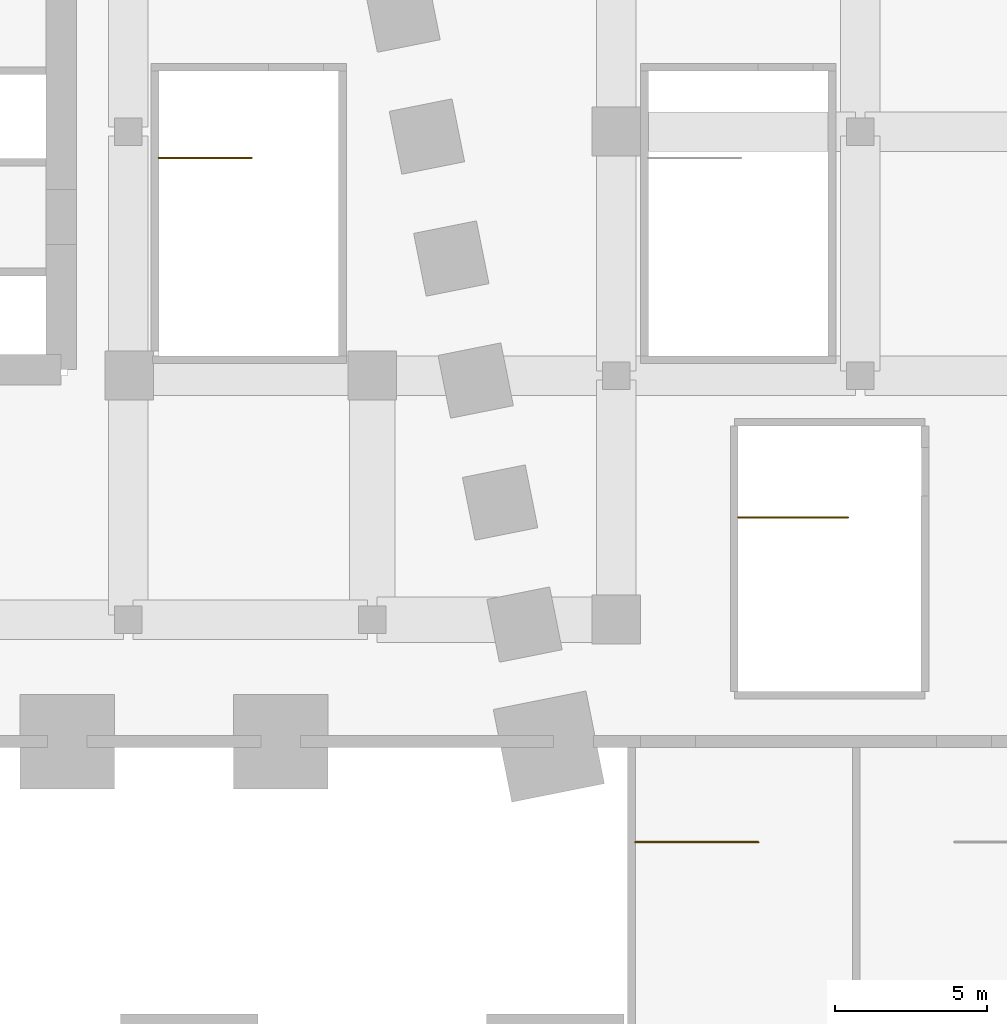
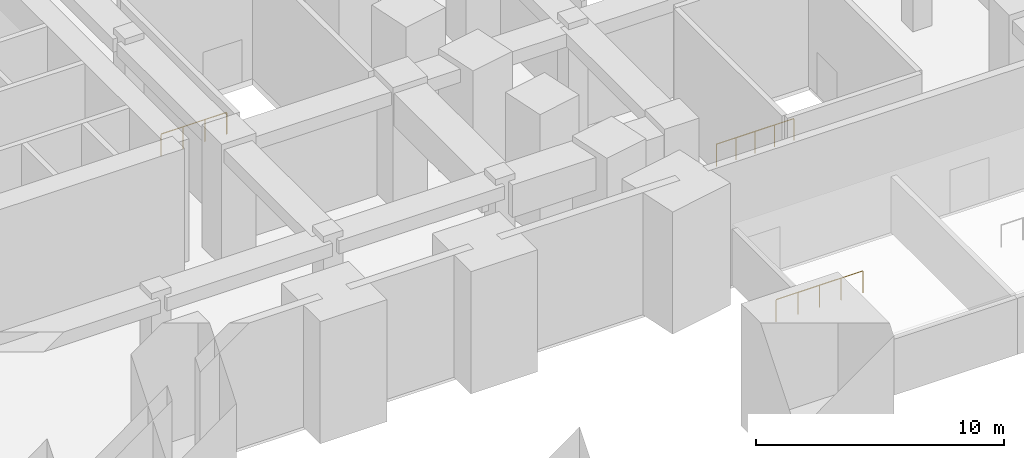
# One storey, part 23 of 28: 3 railings.
"""IFC4 building model written with IfcOpenShell, lengths in metres."""

import ifcopenshell
import ifcopenshell.guid

model = None  # the IFC model being written
_history = None  # IfcOwnerHistory: only IFC2X3 demands one
_inside = {}  # id of a spatial element -> (the spatial element, [elements in it])
_under = {}  # id of a project, library or spatial element -> (it, [spatial elements below it])
_declared = {}  # id of a project -> (the project, [libraries it declares])
_typed = {}  # id of a type object -> (the type object, [elements of that type])
_made_of = {}  # id of a material, layer set ... -> (it, [elements and type objects made of it])


def new_model(schema):
    """Start an empty IFC model of exactly this schema.

    Asked for "IFC4X3", IfcOpenShell would pick the latest addendum, in which some entities
    have other attributes; the version numbers below select the first issue.
    IFC2X3 requires an IfcOwnerHistory on every rooted entity: one is made here for all.
    """
    global model, _history
    if schema == "IFC4X3":
        model = ifcopenshell.file(schema_version=(4, 3, 0, 0))
    else:
        model = ifcopenshell.file(schema=schema)
    _inside.clear()
    _under.clear()
    _declared.clear()
    _typed.clear()
    _made_of.clear()
    _history = None
    if model.schema == "IFC2X3":
        org = make("IfcOrganization", Name="unknown")
        user = make(
            "IfcPersonAndOrganization",
            ThePerson=make("IfcPerson", FamilyName="unknown"),
            TheOrganization=org,
        )
        app = make(
            "IfcApplication",
            ApplicationDeveloper=org,
            Version="unknown",
            ApplicationFullName="unknown",
            ApplicationIdentifier="unknown",
        )
        _history = make(
            "IfcOwnerHistory",
            OwningUser=user,
            OwningApplication=app,
            ChangeAction="ADDED",
            CreationDate=0,
        )
    return model


def make(cls, **values):
    """One entity of the class cls with the attributes given. An attribute that is None is left unset."""
    return model.create_entity(
        cls, **{name: value for name, value in values.items() if value is not None}
    )


def rooted(cls, **values):
    """An entity with a GlobalId (a new one), such as an element, a storey or a relation."""
    return make(cls, GlobalId=ifcopenshell.guid.new(), OwnerHistory=_history, **values)


def si_unit(unit_type, name, prefix=None):
    """IfcSIUnit, for example si_unit("LENGTHUNIT", "METRE", prefix="MILLI")."""
    return make("IfcSIUnit", UnitType=unit_type, Prefix=prefix, Name=name)


def assignment(units):
    """IfcUnitAssignment: the units of a project."""
    return None if units is None else make("IfcUnitAssignment", Units=units)


def point(xyz):
    """IfcCartesianPoint."""
    return None if xyz is None else make("IfcCartesianPoint", Coordinates=xyz)


def direction(xyz):
    """IfcDirection."""
    return None if xyz is None else make("IfcDirection", DirectionRatios=xyz)


def frame(location, z_axis=None, x_axis=None):
    """IfcAxis2Placement3D, a coordinate frame: its origin and axes. An axis left out is left unset."""
    return make(
        "IfcAxis2Placement3D",
        Location=point(location),
        Axis=direction(z_axis),
        RefDirection=direction(x_axis),
    )


def frame_2d(location, x_axis=None):
    """IfcAxis2Placement2D, a coordinate frame in the plane: its origin and x axis."""
    return make(
        "IfcAxis2Placement2D", Location=point(location), RefDirection=direction(x_axis)
    )


def origin():
    """The frame at (0, 0, 0) with its axes left unset."""
    return frame((0.0, 0.0, 0.0))


def origin_2d():
    """The frame at (0, 0) in the plane with its x axis left unset."""
    return frame_2d((0.0, 0.0))


def place(relative_to, where):
    """IfcLocalPlacement: puts the frame where relative to a parent placement (None: the world)."""
    return make(
        "IfcLocalPlacement", PlacementRelTo=relative_to, RelativePlacement=where
    )


def context(
    kind, dimensions, precision=None, world=None, true_north=None, identifier=None
):
    """IfcGeometricRepresentationContext, for example the 3D "Model" context."""
    return make(
        "IfcGeometricRepresentationContext",
        ContextIdentifier=identifier,
        ContextType=kind,
        CoordinateSpaceDimension=dimensions,
        Precision=precision,
        WorldCoordinateSystem=world,
        TrueNorth=true_north,
    )


def subcontext(parent, identifier, kind, view, scale=None):
    """IfcGeometricRepresentationSubContext, for example "Body" below "Model"."""
    return make(
        "IfcGeometricRepresentationSubContext",
        ContextIdentifier=identifier,
        ContextType=kind,
        ParentContext=parent,
        TargetScale=scale,
        TargetView=view,
    )


def project(units=None, contexts=None):
    """IfcProject with its units and contexts."""
    return rooted(
        "IfcProject",
        Name="project",
        RepresentationContexts=contexts,
        UnitsInContext=assignment(units),
    )


def spatial(cls, under=None, at=None, **own):
    """A site, building, storey or space (cls), placed at a placement, below another one or the project."""
    s = rooted(cls, ObjectPlacement=at, **own)
    if under is not None:
        _under.setdefault(under.id(), (under, []))[1].append(s)
    return s


def profile(cls, at=None, kind="AREA", **sizes):
    """A parametric profile (cls). Its sizes go by their IFC names, for example OverallWidth=200.0."""
    return make(cls, ProfileType=kind, Position=at, **sizes)


def circle(**sizes):
    """IfcCircleProfileDef."""
    return profile("IfcCircleProfileDef", **sizes)


def extrude(swept, where, along, depth):
    """IfcExtrudedAreaSolid: the profile swept, set in the frame where, extruded along a direction by depth."""
    return make(
        "IfcExtrudedAreaSolid",
        SweptArea=swept,
        Position=where,
        ExtrudedDirection=direction(along),
        Depth=depth,
    )


def shape(context_of_items, identifier, shape_type, items):
    """IfcShapeRepresentation: the items that make up one representation, for example the "Body"."""
    return make(
        "IfcShapeRepresentation",
        ContextOfItems=context_of_items,
        RepresentationIdentifier=identifier,
        RepresentationType=shape_type,
        Items=items,
    )


def material(Name=None, Category=None):
    """IfcMaterial."""
    return make("IfcMaterial", Name=Name, Category=Category)


def made_of(thing, what):
    """Note that an element or type object is made of a material, layer set ...; save() writes the relation."""
    if what is not None:
        _made_of.setdefault(what.id(), (what, []))[1].append(thing)
    return thing


def type_object(cls, material=None, **own):
    """A type object (cls), such as IfcWallType, which elements share."""
    return made_of(rooted(cls, **own), material)


def element(
    cls,
    number,
    at=None,
    inside=None,
    cuts=None,
    type_object=None,
    material=None,
    context=None,
    identifier="Body",
    shape_type=None,
    held_by="IfcProductDefinitionShape",
    body=None,
    shapes=None,
    **own,
):
    """One element of the class cls, such as IfcWall. Its Tag is "e" and its number.

    at: its placement. inside: the storey or other place that contains it. cuts: it is an
    opening in that element (IfcRelVoidsElement). A single representation is given by context,
    identifier, shape_type and body (its items); several are given by shapes. held_by: the class
    of the entity that holds the representations. save() writes the other relations.
    """
    e = rooted(cls, Tag="e%d" % number, ObjectPlacement=at, **own)
    if body is not None:
        shapes = [shape(context, identifier, shape_type, body)]
    if shapes is not None:
        e.Representation = make(held_by, Representations=shapes)
    if inside is not None:
        _inside.setdefault(inside.id(), (inside, []))[1].append(e)
    if cuts is not None:
        rooted(
            "IfcRelVoidsElement", RelatingBuildingElement=cuts, RelatedOpeningElement=e
        )
    if type_object is not None:
        _typed.setdefault(type_object.id(), (type_object, []))[1].append(e)
    return made_of(e, material)


def aggregate(whole, parts):
    """IfcRelAggregates: a whole, such as a stair, and the parts it consists of."""
    return rooted("IfcRelAggregates", RelatingObject=whole, RelatedObjects=parts)


def save(model, path):
    """Write the relations noted so far, then the file.

    IfcRelAggregates (storeys below a building ...), IfcRelContainedInSpatialStructure (elements
    in a storey), IfcRelDefinesByType, IfcRelAssociatesMaterial and IfcRelDeclares: one each for
    every whole, place, type object, material and project.
    """
    for whole, parts in _under.values():
        aggregate(whole, parts)
    for where, things in _inside.values():
        rooted(
            "IfcRelContainedInSpatialStructure",
            RelatedElements=things,
            RelatingStructure=where,
        )
    for kind, things in _typed.values():
        rooted("IfcRelDefinesByType", RelatedObjects=things, RelatingType=kind)
    for what, things in _made_of.values():
        rooted("IfcRelAssociatesMaterial", RelatedObjects=things, RelatingMaterial=what)
    for by, libraries in _declared.values():
        rooted("IfcRelDeclares", RelatingContext=by, RelatedDefinitions=libraries)
    model.write(path)


model = new_model("IFC4")

# Units and contexts
model_context = context("Model", 3, precision=1e-05, world=origin(), true_north=direction((0.0, 1.0)))
body_context = subcontext(model_context, "Body", "Model", "MODEL_VIEW")
ifc_project = project(units=[si_unit("LENGTHUNIT", "METRE"), si_unit("AREAUNIT", "SQUARE_METRE"), si_unit("VOLUMEUNIT", "CUBIC_METRE"), si_unit("PLANEANGLEUNIT", "RADIAN"), si_unit("MASSUNIT", "GRAM", prefix="KILO")], contexts=[model_context])

# Site, building, storey
site_placement = place(None, origin())
site = spatial("IfcSite", under=ifc_project, at=site_placement, CompositionType="ELEMENT")
building_placement = place(site_placement, origin())
building = spatial("IfcBuilding", under=site, at=building_placement, Name="Isbrekke Arena Tower", CompositionType="ELEMENT")
storey_placement = place(building_placement, origin())
storey = spatial("IfcBuildingStorey", under=building, at=storey_placement, Name="L00", CompositionType="ELEMENT", Elevation=0.0)

# Railings
ifc_material = material(Name="Steel stair guard, vertical bars, steel handrail", Category="steel")
railing_type = type_object("IfcRailingType", Name="GR3 STAIR WELL GUARD 1100", PredefinedType="GUARDRAIL", material=ifc_material)
railing_1_placement = place(storey_placement, frame((36.0, 1.35009765625, 0.0)))
element("IfcRailing", 1, at=railing_1_placement, inside=storey, type_object=railing_type, Name="GR3 stair well guard V1 L00", PredefinedType="GUARDRAIL", context=body_context, shape_type="SweptSolid", body=[
    extrude(circle(Radius=0.02392578125, at=origin_2d()), frame((0.0, 0.0, 1.076171875), z_axis=(1.0, 0.0, 0.0), x_axis=(0.0, 1.0, 0.0)), (0.0, 0.0, 1.0), 3.60009765625),
    extrude(circle(Radius=0.02099609375, at=origin_2d()), origin(), (0.0, 0.0, 1.0), 1.052001953125),
    extrude(circle(Radius=0.02099609375, at=origin_2d()), frame((0.89990234375, 0.0, 0.0)), (0.0, 0.0, 1.0), 1.052001953125),
    extrude(circle(Radius=0.02099609375, at=origin_2d()), frame((1.800048828125, 0.0, 0.0)), (0.0, 0.0, 1.0), 1.052001953125),
    extrude(circle(Radius=0.02099609375, at=origin_2d()), frame((2.7001953125, 0.0, 0.0)), (0.0, 0.0, 1.0), 1.052001953125),
    extrude(circle(Radius=0.02099609375, at=origin_2d()), frame((3.60009765625, 0.0, 0.0)), (0.0, 0.0, 1.0), 1.052001953125),
])
railing_2_placement = place(storey_placement, frame((32.625, -9.294921875, 0.0)))
element("IfcRailing", 2, at=railing_2_placement, inside=storey, type_object=railing_type, Name="GR3 stair well guard X1 L00", PredefinedType="GUARDRAIL", context=body_context, shape_type="SweptSolid", body=[
    extrude(circle(Radius=0.02392578125, at=origin_2d()), frame((0.0, 0.0, 1.076171875), z_axis=(1.0, 0.0, 0.0), x_axis=(0.0, 1.0, 0.0)), (0.0, 0.0, 1.0), 4.034912109375),
    extrude(circle(Radius=0.02099609375, at=origin_2d()), origin(), (0.0, 0.0, 1.0), 1.052001953125),
    extrude(circle(Radius=0.02099609375, at=origin_2d()), frame((1.0087890625, 0.0, 0.0)), (0.0, 0.0, 1.0), 1.052001953125),
    extrude(circle(Radius=0.02099609375, at=origin_2d()), frame((2.017578125, 0.0, 0.0)), (0.0, 0.0, 1.0), 1.052001953125),
    extrude(circle(Radius=0.02099609375, at=origin_2d()), frame((3.026123046875, 0.0, 0.0)), (0.0, 0.0, 1.0), 1.052001953125),
    extrude(circle(Radius=0.02099609375, at=origin_2d()), frame((4.034912109375, 0.0, 0.0)), (0.0, 0.0, 1.0), 1.052001953125),
])
railing_3_placement = place(storey_placement, frame((17.0, 13.139892578125, 0.0)))
element("IfcRailing", 3, at=railing_3_placement, inside=storey, type_object=railing_type, Name="GR3 stair well guard X5 L00", PredefinedType="GUARDRAIL", context=body_context, shape_type="SweptSolid", body=[
    extrude(circle(Radius=0.02392578125, at=origin_2d()), frame((0.0, 0.0, 1.076171875), z_axis=(1.0, 0.0, 0.0), x_axis=(0.0, 1.0, 0.0)), (0.0, 0.0, 1.0), 3.050048828125),
    extrude(circle(Radius=0.02099609375, at=origin_2d()), origin(), (0.0, 0.0, 1.0), 1.052001953125),
    extrude(circle(Radius=0.02099609375, at=origin_2d()), frame((1.0166015625, 0.0, 0.0)), (0.0, 0.0, 1.0), 1.052001953125),
    extrude(circle(Radius=0.02099609375, at=origin_2d()), frame((2.033447265625, 0.0, 0.0)), (0.0, 0.0, 1.0), 1.052001953125),
    extrude(circle(Radius=0.02099609375, at=origin_2d()), frame((3.050048828125, 0.0, 0.0)), (0.0, 0.0, 1.0), 1.052001953125),
])

save(model, "model.ifc")
